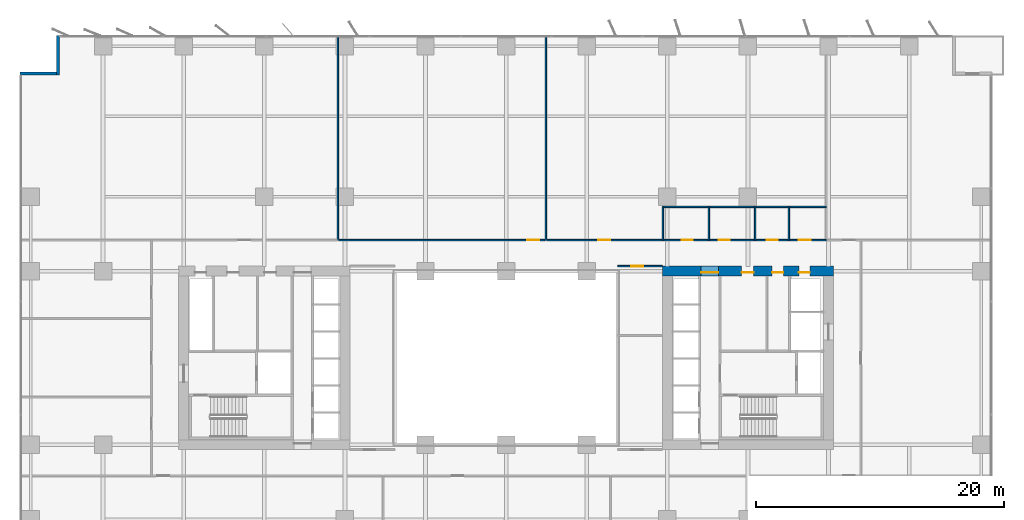
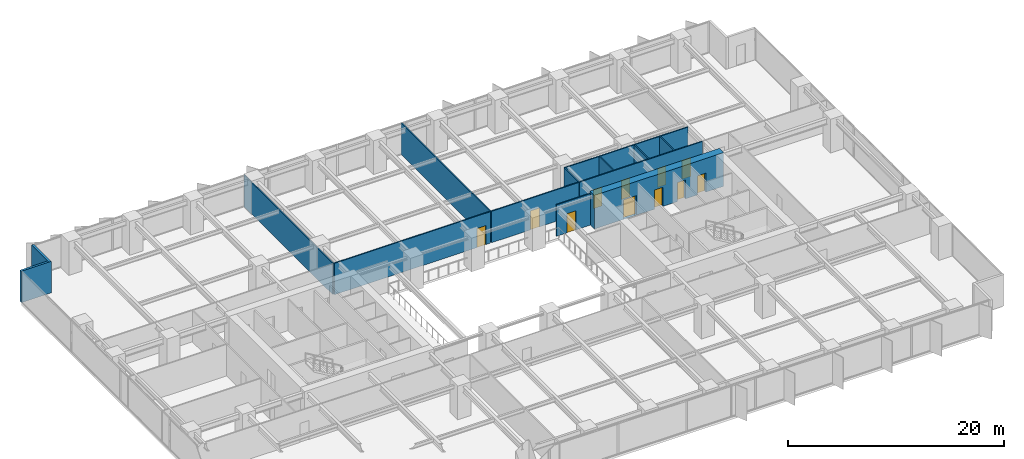
# One storey, part 15 of 20: 14 walls, 11 doors, 11 openings.
"""IFC4 building model written with IfcOpenShell, lengths in metres."""

from ifc_helpers import new_model, si_unit, direction, frame, frame_2d, origin, place, context, subcontext, project, spatial, rectangle, extrude, material, layer, layer_set, type_object, element, fill, save


model = new_model("IFC4")

# Units and contexts
model_context = context("Model", 3, precision=1e-05, world=origin(), true_north=direction((0.0, 1.0)))
body_context = subcontext(model_context, "Body", "Model", "MODEL_VIEW")
ifc_project = project(units=[si_unit("LENGTHUNIT", "METRE"), si_unit("AREAUNIT", "SQUARE_METRE"), si_unit("VOLUMEUNIT", "CUBIC_METRE"), si_unit("PLANEANGLEUNIT", "RADIAN"), si_unit("MASSUNIT", "GRAM", prefix="KILO")], contexts=[model_context])

# Site, building, storey
site_placement = place(None, origin())
site = spatial("IfcSite", under=ifc_project, at=site_placement, CompositionType="ELEMENT")
building_placement = place(site_placement, origin())
building = spatial("IfcBuilding", under=site, at=building_placement, Name="Putna Gate Headquarters", CompositionType="ELEMENT")
storey_placement = place(building_placement, frame((0.0, 0.0, 58.199951171875)))
storey = spatial("IfcBuildingStorey", under=building, at=storey_placement, Name="L13", CompositionType="ELEMENT", Elevation=58.199951171875)

# Wall, openings, doors
ifc_material_1 = material(Name="Concrete C60/75", Category="concrete")
ifc_layer_1 = layer(ifc_material_1, 0.800048828125)
ifc_layer_set_1 = layer_set([ifc_layer_1], Name="Concrete C60/75")
wall_type_1 = type_object("IfcWallType", Name="WALL-CORE-800", PredefinedType="SHEAR", material=ifc_layer_set_1)
wall_1_placement = place(storey_placement, frame((51.60009765625, 33.0, 0.0), z_axis=(0.0, 0.0, 1.0), x_axis=(1.0, 0.0, 0.0)))
wall_1 = element("IfcWall", 1, at=wall_1_placement, inside=storey, type_object=wall_type_1, Name="L13 EC Split Core Shear Wall N", PredefinedType="SHEAR", context=body_context, shape_type="SweptSolid", body=[
    extrude(rectangle(XDim=13.7998046875, YDim=0.800048828125, at=frame_2d((6.89990234375, 0.0))), origin(), (0.0, 0.0, 1.0), 3.800048828125),
])
opening_1_placement = place(wall_1_placement, frame((3.1201171875, 0.0, 0.0)))
opening_1 = element("IfcOpeningElement", 2, at=opening_1_placement, cuts=wall_1, Name="Opening FDD-140", PredefinedType="OPENING", context=body_context, shape_type="SweptSolid", body=[
    extrude(rectangle(XDim=1.39990234375, YDim=2.199951171875, at=frame_2d((0.699951171875, 1.10009765625))), frame((0.0, 0.409912109375, 0.0), z_axis=(0.0, -1.0, 0.0), x_axis=(1.0, 0.0, 0.0)), (0.0, 0.0, 1.0), 0.820068359375),
])
opening_2_placement = place(wall_1_placement, frame((11.0, 0.0, 0.0)))
opening_2 = element("IfcOpeningElement", 3, at=opening_2_placement, cuts=wall_1, Name="Opening RD-90", PredefinedType="OPENING", context=body_context, shape_type="SweptSolid", body=[
    extrude(rectangle(XDim=0.89990234375, YDim=2.14990234375, at=frame_2d((0.449951171875, 1.074951171875))), frame((0.0, 0.409912109375, 0.0), z_axis=(0.0, -1.0, 0.0), x_axis=(1.0, 0.0, 0.0)), (0.0, 0.0, 1.0), 0.820068359375),
])
opening_3_placement = place(wall_1_placement, frame((6.39990234375, 0.0, 0.0)))
opening_3 = element("IfcOpeningElement", 4, at=opening_3_placement, cuts=wall_1, Name="Opening IDS-95", PredefinedType="OPENING", context=body_context, shape_type="SweptSolid", body=[
    extrude(rectangle(XDim=0.949951171875, YDim=2.14990234375, at=frame_2d((0.47509765625, 1.074951171875))), frame((0.0, 0.409912109375, 0.0), z_axis=(0.0, -1.0, 0.0), x_axis=(1.0, 0.0, 0.0)), (0.0, 0.0, 1.0), 0.820068359375),
])
opening_4_placement = place(wall_1_placement, frame((8.85009765625, 0.0, 0.0)))
opening_4 = element("IfcOpeningElement", 5, at=opening_4_placement, cuts=wall_1, Name="Opening IDS-90", PredefinedType="OPENING", context=body_context, shape_type="SweptSolid", body=[
    extrude(rectangle(XDim=0.89990234375, YDim=2.14990234375, at=frame_2d((0.449951171875, 1.074951171875))), frame((0.0, 0.409912109375, 0.0), z_axis=(0.0, -1.0, 0.0), x_axis=(1.0, 0.0, 0.0)), (0.0, 0.0, 1.0), 0.820068359375),
])
ifc_material_2 = material(Name="Double steel fire door", Category="steel")
door_type_1 = type_object("IfcDoorType", Name="DOOR-FIRE-DBL-1400", OperationType="DOUBLE_DOOR_SINGLE_SWING", PredefinedType="DOOR", material=ifc_material_2)
door_1_placement = place(opening_1_placement, origin())
door_1 = element("IfcDoor", 6, at=door_1_placement, inside=storey, type_object=door_type_1, Name="L13 East Lift Lobby North Door", OperationType="DOUBLE_DOOR_SINGLE_SWING", OverallHeight=2.199951171875, OverallWidth=1.39990234375, PredefinedType="DOOR", context=body_context, shape_type="SweptSolid", body=[
    extrude(rectangle(XDim=1.39990234375, YDim=2.199951171875, at=frame_2d((0.699951171875, 1.10009765625))), frame((0.0, -0.0751953125, 0.0), z_axis=(0.0, -1.0, 0.0), x_axis=(1.0, 0.0, 0.0)), (0.0, 0.0, 1.0), 0.050048828125),
])
fill(opening_1, door_1)
ifc_material_3 = material(Name="Fire-rated utility door")
door_type_2 = type_object("IfcDoorType", Name="DOOR-INT-900", OperationType="NOTDEFINED", PredefinedType="DOOR", material=ifc_material_3)
door_2_placement = place(opening_4_placement, origin())
door_2 = element("IfcDoor", 7, at=door_2_placement, inside=storey, type_object=door_type_2, Name="L13 Electrical Plant Door", OperationType="SINGLE_SWING_LEFT", OverallHeight=2.14990234375, OverallWidth=0.89990234375, PredefinedType="DOOR", context=body_context, shape_type="SweptSolid", body=[
    extrude(rectangle(XDim=0.89990234375, YDim=2.14990234375, at=frame_2d((0.449951171875, 1.074951171875))), frame((0.0, -0.0751953125, 0.0), z_axis=(0.0, -1.0, 0.0), x_axis=(1.0, 0.0, 0.0)), (0.0, 0.0, 1.0), 0.050048828125),
])
fill(opening_4, door_2)
ifc_material_4 = material(Name="Fire-rated service timber door", Category="wood")
door_type_3 = type_object("IfcDoorType", Name="DOOR-INT-950", OperationType="NOTDEFINED", PredefinedType="DOOR", material=ifc_material_4)
door_3_placement = place(opening_3_placement, origin())
door_3 = element("IfcDoor", 8, at=door_3_placement, inside=storey, type_object=door_type_3, Name="L13 East Store Door", OperationType="SINGLE_SWING_RIGHT", OverallHeight=2.14990234375, OverallWidth=0.949951171875, PredefinedType="DOOR", context=body_context, shape_type="SweptSolid", body=[
    extrude(rectangle(XDim=0.949951171875, YDim=2.14990234375, at=frame_2d((0.47509765625, 1.074951171875))), frame((0.0, -0.0751953125, 0.0), z_axis=(0.0, -1.0, 0.0), x_axis=(1.0, 0.0, 0.0)), (0.0, 0.0, 1.0), 0.050048828125),
])
fill(opening_3, door_3)
ifc_material_5 = material(Name="Steel riser access fire door", Category="steel")
door_type_4 = type_object("IfcDoorType", Name="DOOR-RISER-900", OperationType="NOTDEFINED", PredefinedType="DOOR", material=ifc_material_5)
door_4_placement = place(opening_2_placement, origin())
door_4 = element("IfcDoor", 9, at=door_4_placement, inside=storey, type_object=door_type_4, Name="L13 East Riser Access Door", OperationType="SINGLE_SWING_LEFT", OverallHeight=2.14990234375, OverallWidth=0.89990234375, PredefinedType="DOOR", context=body_context, shape_type="SweptSolid", body=[
    extrude(rectangle(XDim=0.89990234375, YDim=2.14990234375, at=frame_2d((0.449951171875, 1.074951171875))), frame((0.0, -0.0751953125, 0.0), z_axis=(0.0, -1.0, 0.0), x_axis=(1.0, 0.0, 0.0)), (0.0, 0.0, 1.0), 0.050048828125),
])
fill(opening_2, door_4)

# Walls
ifc_material_6 = material(Name="Precast concrete C40/50", Category="concrete")
ifc_layer_2 = layer(ifc_material_6, 0.239990234375)
ifc_layer_set_2 = layer_set([ifc_layer_2], Name="Precast concrete C40/50")
wall_type_2 = type_object("IfcWallType", Name="WALL-EXT-TERR-240", PredefinedType="STANDARD", material=ifc_layer_set_2)
for number, where, z_axis, x_axis, name in (
    (10, (2.8798828125, 48.800048828125, 0.0), (0.0, 0.0, 1.0), (0.0, 1.0, 0.0), "L13 Corner Notch Return Wall NW-V"),
    (11, (-0.199951171875, 48.919921875, 0.0), (0.0, 0.0, 1.0), (1.0, 0.0, 0.0), "L13 Corner Notch Return Wall NW-H"),
):
    element("IfcWall", number, at=place(storey_placement, frame(where, z_axis=z_axis, x_axis=x_axis)), inside=storey, type_object=wall_type_2, Name=name, PredefinedType="STANDARD", context=body_context, shape_type="SweptSolid", body=[
        extrude(rectangle(XDim=3.199951171875, YDim=0.239990234375, at=frame_2d((1.60009765625, 0.0))), origin(), (0.0, 0.0, 1.0), 3.550048828125),
    ])

# Wall, opening, door
ifc_material_7 = material(Name="Acoustic gypsum board on metal stud")
ifc_layer_3 = layer(ifc_material_7, 0.1201171875)
ifc_layer_set_3 = layer_set([ifc_layer_3], Name="Acoustic gypsum board on metal stud")
wall_type_3 = type_object("IfcWallType", Name="WALL-PART-120", PredefinedType="PARTITIONING", material=ifc_layer_set_3)
wall_2_placement = place(storey_placement, frame((48.0, 33.39990234375, 0.0), z_axis=(0.0, 0.0, 1.0), x_axis=(1.0, 0.0, 0.0)))
wall_2 = element("IfcWall", 12, at=wall_2_placement, inside=storey, type_object=wall_type_3, Name="L13 Interior Wall PART-L13-ATR-E-N", PredefinedType="PARTITIONING", context=body_context, shape_type="SweptSolid", body=[
    extrude(rectangle(XDim=3.60009765625, YDim=0.1201171875, at=frame_2d((1.800048828125, 0.0))), origin(), (0.0, 0.0, 1.0), 3.550048828125),
])
opening_5_placement = place(wall_2_placement, frame((1.10009765625, 0.0, 0.0)))
opening_5 = element("IfcOpeningElement", 13, at=opening_5_placement, cuts=wall_2, Name="Opening ID-95", PredefinedType="OPENING", context=body_context, shape_type="SweptSolid", body=[
    extrude(rectangle(XDim=0.949951171875, YDim=2.14990234375, at=frame_2d((0.47509765625, 1.074951171875))), frame((0.0, 0.070068359375, 0.0), z_axis=(0.0, -1.0, 0.0), x_axis=(1.0, 0.0, 0.0)), (0.0, 0.0, 1.0), 0.14013671875),
])
ifc_material_8 = material(Name="Veneered acoustic timber door", Category="wood")
door_type_5 = type_object("IfcDoorType", Name="DOOR-OFF-950", OperationType="NOTDEFINED", PredefinedType="DOOR", material=ifc_material_8)
door_5_placement = place(opening_5_placement, origin())
door_5 = element("IfcDoor", 14, at=door_5_placement, inside=storey, type_object=door_type_5, Name="L13 East Atrium North Gallery Door", OperationType="SINGLE_SWING_LEFT", OverallHeight=2.14990234375, OverallWidth=0.949951171875, PredefinedType="DOOR", context=body_context, shape_type="SweptSolid", body=[
    extrude(rectangle(XDim=0.949951171875, YDim=2.14990234375, at=frame_2d((0.47509765625, 1.074951171875))), frame((0.0, 0.02490234375, 0.0), z_axis=(0.0, -1.0, 0.0), x_axis=(1.0, 0.0, 0.0)), (0.0, 0.0, 1.0), 0.050048828125),
])
fill(opening_5, door_5)

# Walls
for number, where, z_axis, x_axis, name in (
    (15, (25.436279296875, 35.56005859375, 0.0), (0.0, 0.0, 1.0), (0.0, 1.0, 0.0), "L13 Interior Wall PART-L13-NB-DIV-01"),
    (16, (42.199951171875, 35.56005859375, 0.0), (0.0, 0.0, 1.0), (0.0, 1.0, 0.0), "L13 Interior Wall PART-L13-NB-DIV-02"),
):
    element("IfcWall", number, at=place(storey_placement, frame(where, z_axis=z_axis, x_axis=x_axis)), inside=storey, type_object=wall_type_3, Name=name, PredefinedType="PARTITIONING", context=body_context, shape_type="SweptSolid", body=[
        extrude(rectangle(XDim=16.419921875, YDim=0.1201171875, at=frame_2d((8.2099609375, 0.0))), origin(), (0.0, 0.0, 1.0), 3.550048828125),
    ])

# Wall, openings, doors
ifc_material_9 = material(Name="Fire-rated gypsum board on metal stud")
ifc_layer_4 = layer(ifc_material_9, 0.1201171875)
ifc_layer_set_4 = layer_set([ifc_layer_4], Name="Fire-rated gypsum board on metal stud")
wall_type_4 = type_object("IfcWallType", Name="WALL-PART-120-RATED", PredefinedType="PARTITIONING", material=ifc_layer_set_4)
wall_3_placement = place(storey_placement, frame((51.639892578125, 35.5, 0.0), z_axis=(0.0, 0.0, 1.0), x_axis=(1.0, 0.0, 0.0)))
wall_3 = element("IfcWall", 17, at=wall_3_placement, inside=storey, type_object=wall_type_4, Name="L13 Interior Wall PART-L13-SAN-CW", PredefinedType="PARTITIONING", context=body_context, shape_type="SweptSolid", body=[
    extrude(rectangle(XDim=13.16015625, YDim=0.1201171875, at=frame_2d((6.580078125, 0.0))), origin(), (0.0, 0.0, 1.0), 3.550048828125),
])
opening_6_placement = place(wall_3_placement, frame((1.510009765625, 0.0, 0.0)))
opening_6 = element("IfcOpeningElement", 18, at=opening_6_placement, cuts=wall_3, Name="Opening FD-90", PredefinedType="OPENING", context=body_context, shape_type="SweptSolid", body=[
    extrude(rectangle(XDim=0.89990234375, YDim=2.14990234375, at=frame_2d((0.449951171875, 1.074951171875))), frame((0.0, 0.070068359375, 0.0), z_axis=(0.0, -1.0, 0.0), x_axis=(1.0, 0.0, 0.0)), (0.0, 0.0, 1.0), 0.14013671875),
])
opening_7_placement = place(wall_3_placement, frame((4.510009765625, 0.0, 0.0)))
opening_7 = element("IfcOpeningElement", 19, at=opening_7_placement, cuts=wall_3, Name="Opening FD-90", PredefinedType="OPENING", context=body_context, shape_type="SweptSolid", body=[
    extrude(rectangle(XDim=0.89990234375, YDim=2.14990234375, at=frame_2d((0.449951171875, 1.074951171875))), frame((0.0, 0.070068359375, 0.0), z_axis=(0.0, -1.0, 0.0), x_axis=(1.0, 0.0, 0.0)), (0.0, 0.0, 1.0), 0.14013671875),
])
opening_8_placement = place(wall_3_placement, frame((8.360107421875, 0.0, 0.0)))
opening_8 = element("IfcOpeningElement", 20, at=opening_8_placement, cuts=wall_3, Name="Opening FD-90", PredefinedType="OPENING", context=body_context, shape_type="SweptSolid", body=[
    extrude(rectangle(XDim=0.89990234375, YDim=2.14990234375, at=frame_2d((0.449951171875, 1.074951171875))), frame((0.0, 0.070068359375, 0.0), z_axis=(0.0, -1.0, 0.0), x_axis=(1.0, 0.0, 0.0)), (0.0, 0.0, 1.0), 0.14013671875),
])
opening_9_placement = place(wall_3_placement, frame((10.9599609375, 0.0, 0.0)))
opening_9 = element("IfcOpeningElement", 21, at=opening_9_placement, cuts=wall_3, Name="Opening FD-95", PredefinedType="OPENING", context=body_context, shape_type="SweptSolid", body=[
    extrude(rectangle(XDim=0.949951171875, YDim=2.14990234375, at=frame_2d((0.47509765625, 1.074951171875))), frame((0.0, 0.070068359375, 0.0), z_axis=(0.0, -1.0, 0.0), x_axis=(1.0, 0.0, 0.0)), (0.0, 0.0, 1.0), 0.14013671875),
])
ifc_material_10 = material(Name="Acoustic washroom fire door")
door_type_6 = type_object("IfcDoorType", Name="DOOR-FIRE-900", OperationType="NOTDEFINED", PredefinedType="DOOR", material=ifc_material_10)
door_6_placement = place(opening_6_placement, origin())
door_6 = element("IfcDoor", 22, at=door_6_placement, inside=storey, type_object=door_type_6, Name="L13 Washroom Male Door", OperationType="SINGLE_SWING_RIGHT", OverallHeight=2.14990234375, OverallWidth=0.89990234375, PredefinedType="DOOR", context=body_context, shape_type="SweptSolid", body=[
    extrude(rectangle(XDim=0.89990234375, YDim=2.14990234375, at=frame_2d((0.449951171875, 1.074951171875))), frame((0.0, 0.02490234375, 0.0), z_axis=(0.0, -1.0, 0.0), x_axis=(1.0, 0.0, 0.0)), (0.0, 0.0, 1.0), 0.050048828125),
])
fill(opening_6, door_6)
door_7_placement = place(opening_7_placement, origin())
door_7 = element("IfcDoor", 23, at=door_7_placement, inside=storey, type_object=door_type_6, Name="L13 Washroom Female Door", OperationType="SINGLE_SWING_LEFT", OverallHeight=2.14990234375, OverallWidth=0.89990234375, PredefinedType="DOOR", context=body_context, shape_type="SweptSolid", body=[
    extrude(rectangle(XDim=0.89990234375, YDim=2.14990234375, at=frame_2d((0.449951171875, 1.074951171875))), frame((0.0, 0.02490234375, 0.0), z_axis=(0.0, -1.0, 0.0), x_axis=(1.0, 0.0, 0.0)), (0.0, 0.0, 1.0), 0.050048828125),
])
fill(opening_7, door_7)
door_8_placement = place(opening_8_placement, origin())
door_8 = element("IfcDoor", 24, at=door_8_placement, inside=storey, type_object=door_type_6, Name="L13 Accessible WC Door", OperationType="SINGLE_SWING_RIGHT", OverallHeight=2.14990234375, OverallWidth=0.89990234375, PredefinedType="DOOR", context=body_context, shape_type="SweptSolid", body=[
    extrude(rectangle(XDim=0.89990234375, YDim=2.14990234375, at=frame_2d((0.449951171875, 1.074951171875))), frame((0.0, 0.02490234375, 0.0), z_axis=(0.0, -1.0, 0.0), x_axis=(1.0, 0.0, 0.0)), (0.0, 0.0, 1.0), 0.050048828125),
])
fill(opening_8, door_8)
ifc_material_11 = material(Name="Acoustic timber fire door", Category="wood")
door_type_7 = type_object("IfcDoorType", Name="DOOR-FIRE-950", OperationType="NOTDEFINED", PredefinedType="DOOR", material=ifc_material_11)
door_9_placement = place(opening_9_placement, origin())
door_9 = element("IfcDoor", 25, at=door_9_placement, inside=storey, type_object=door_type_7, Name="L13 Staff Pantry and Tea Point Door", OperationType="SINGLE_SWING_LEFT", OverallHeight=2.14990234375, OverallWidth=0.949951171875, PredefinedType="DOOR", context=body_context, shape_type="SweptSolid", body=[
    extrude(rectangle(XDim=0.949951171875, YDim=2.14990234375, at=frame_2d((0.47509765625, 1.074951171875))), frame((0.0, 0.02490234375, 0.0), z_axis=(0.0, -1.0, 0.0), x_axis=(1.0, 0.0, 0.0)), (0.0, 0.0, 1.0), 0.050048828125),
])
fill(opening_9, door_9)

# Walls
wall_4_placement = place(storey_placement, frame((51.639892578125, 38.179931640625, 0.0), z_axis=(0.0, 0.0, 1.0), x_axis=(1.0, 0.0, 0.0)))
element("IfcWall", 26, at=wall_4_placement, inside=storey, type_object=wall_type_4, Name="L13 Interior Wall PART-L13-SAN-BACK", PredefinedType="PARTITIONING", context=body_context, shape_type="SweptSolid", body=[
    extrude(rectangle(XDim=13.16015625, YDim=0.1201171875, at=frame_2d((6.580078125, 0.0))), origin(), (0.0, 0.0, 1.0), 3.550048828125),
])
for number, where, z_axis, x_axis, name in (
    (27, (51.639892578125, 35.5, 0.0), (0.0, 0.0, 1.0), (0.0, 1.0, 0.0), "L13 Interior Wall PART-L13-SAN-DIV-1"),
    (28, (55.360107421875, 35.5, 0.0), (0.0, 0.0, 1.0), (0.0, 1.0, 0.0), "L13 Interior Wall PART-L13-SAN-DIV-2"),
    (29, (59.080078125, 35.5, 0.0), (0.0, 0.0, 1.0), (0.0, 1.0, 0.0), "L13 Interior Wall PART-L13-SAN-DIV-3"),
    (30, (61.800048828125, 35.5, 0.0), (0.0, 0.0, 1.0), (0.0, 1.0, 0.0), "L13 Interior Wall PART-L13-SAN-DIV-4"),
):
    element("IfcWall", number, at=place(storey_placement, frame(where, z_axis=z_axis, x_axis=x_axis)), inside=storey, type_object=wall_type_4, Name=name, PredefinedType="PARTITIONING", context=body_context, shape_type="SweptSolid", body=[
        extrude(rectangle(XDim=2.679931640625, YDim=0.1201171875, at=frame_2d((1.33984375, 0.0))), origin(), (0.0, 0.0, 1.0), 3.550048828125),
    ])

# Wall, opening, door
wall_5_placement = place(storey_placement, frame((25.49609375, 35.5, 0.0), z_axis=(0.0, 0.0, 1.0), x_axis=(1.0, 0.0, 0.0)))
wall_5 = element("IfcWall", 31, at=wall_5_placement, inside=storey, type_object=wall_type_4, Name="L13 Interior Wall PART-L13-NB-CW-02", PredefinedType="PARTITIONING", context=body_context, shape_type="SweptSolid", body=[
    extrude(rectangle(XDim=16.643798828125, YDim=0.1201171875, at=frame_2d((8.32177734375, 0.0))), origin(), (0.0, 0.0, 1.0), 3.550048828125),
])
opening_10_placement = place(wall_5_placement, frame((15.2138671875, 0.0, 0.0)))
opening_10 = element("IfcOpeningElement", 32, at=opening_10_placement, cuts=wall_5, Name="Opening FD-95", PredefinedType="OPENING", context=body_context, shape_type="SweptSolid", body=[
    extrude(rectangle(XDim=0.949951171875, YDim=2.14990234375, at=frame_2d((0.47509765625, 1.074951171875))), frame((0.0, 0.070068359375, 0.0), z_axis=(0.0, -1.0, 0.0), x_axis=(1.0, 0.0, 0.0)), (0.0, 0.0, 1.0), 0.14013671875),
])
door_10_placement = place(opening_10_placement, origin())
door_10 = element("IfcDoor", 33, at=door_10_placement, inside=storey, type_object=door_type_7, Name="L13 Collaborative Breakout Lounge 1 Door", OperationType="SINGLE_SWING_LEFT", OverallHeight=2.14990234375, OverallWidth=0.949951171875, PredefinedType="DOOR", context=body_context, shape_type="SweptSolid", body=[
    extrude(rectangle(XDim=0.949951171875, YDim=2.14990234375, at=frame_2d((0.47509765625, 1.074951171875))), frame((0.0, 0.02490234375, 0.0), z_axis=(0.0, -1.0, 0.0), x_axis=(1.0, 0.0, 0.0)), (0.0, 0.0, 1.0), 0.050048828125),
])
fill(opening_10, door_10)

wall_6_placement = place(storey_placement, frame((42.260009765625, 35.5, 0.0), z_axis=(0.0, 0.0, 1.0), x_axis=(1.0, 0.0, 0.0)))
wall_6 = element("IfcWall", 34, at=wall_6_placement, inside=storey, type_object=wall_type_4, Name="L13 Interior Wall PART-L13-NB-CW-03", PredefinedType="PARTITIONING", context=body_context, shape_type="SweptSolid", body=[
    extrude(rectangle(XDim=9.320068359375, YDim=0.1201171875, at=frame_2d((4.66015625, 0.0))), origin(), (0.0, 0.0, 1.0), 3.550048828125),
])
opening_11_placement = place(wall_6_placement, frame((4.18505859375, 0.0, 0.0)))
opening_11 = element("IfcOpeningElement", 35, at=opening_11_placement, cuts=wall_6, Name="Opening FD-95", PredefinedType="OPENING", context=body_context, shape_type="SweptSolid", body=[
    extrude(rectangle(XDim=0.949951171875, YDim=2.14990234375, at=frame_2d((0.47509765625, 1.074951171875))), frame((0.0, 0.070068359375, 0.0), z_axis=(0.0, -1.0, 0.0), x_axis=(1.0, 0.0, 0.0)), (0.0, 0.0, 1.0), 0.14013671875),
])
door_11_placement = place(opening_11_placement, origin())
door_11 = element("IfcDoor", 36, at=door_11_placement, inside=storey, type_object=door_type_7, Name="L13 Primary Open Office Workplace Door", OperationType="SINGLE_SWING_RIGHT", OverallHeight=2.14990234375, OverallWidth=0.949951171875, PredefinedType="DOOR", context=body_context, shape_type="SweptSolid", body=[
    extrude(rectangle(XDim=0.949951171875, YDim=2.14990234375, at=frame_2d((0.47509765625, 1.074951171875))), frame((0.0, 0.02490234375, 0.0), z_axis=(0.0, -1.0, 0.0), x_axis=(1.0, 0.0, 0.0)), (0.0, 0.0, 1.0), 0.050048828125),
])
fill(opening_11, door_11)

save(model, "model.ifc")
